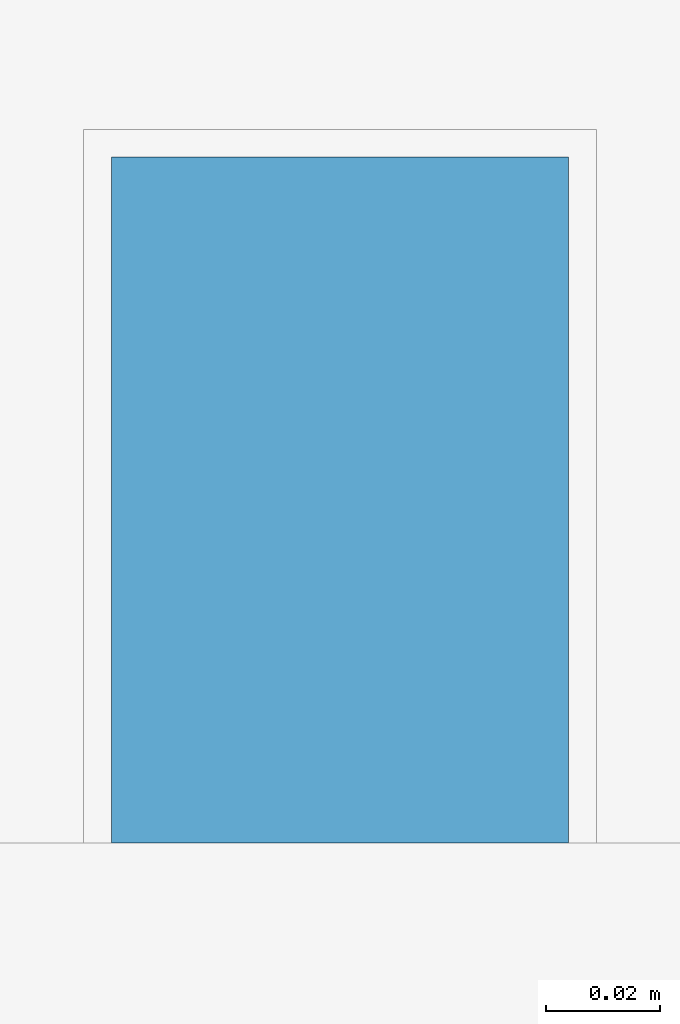
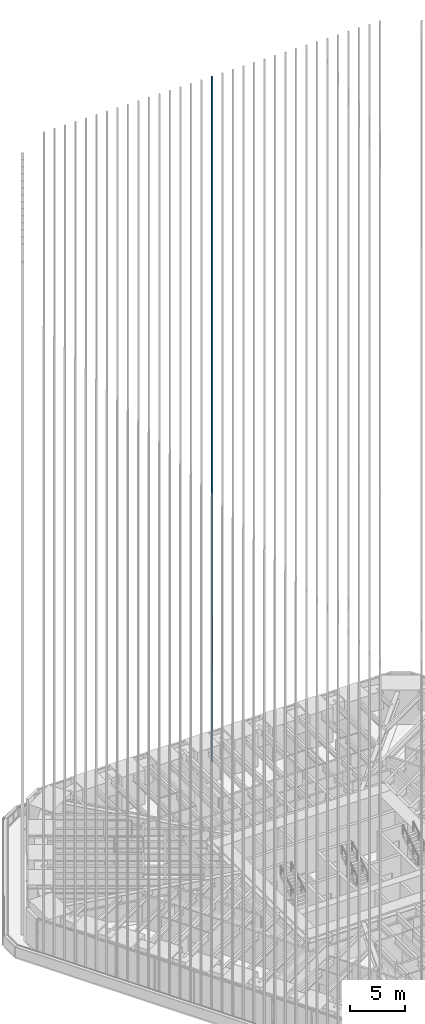
# One storey, part 174 of 238: 1 member, 1 element without a shape of its own.
"""IFC4 building model written with IfcOpenShell, lengths in metres."""

from ifc_helpers import new_model, si_unit, direction, frame, origin, origin_2d, place, context, subcontext, project, spatial, rectangle, extrude, material, material_profile, profile_set, type_object, element, aggregate, save


model = new_model("IFC4")

# Units and contexts
model_context = context("Model", 3, precision=1e-05, world=origin(), true_north=direction((0.0, 1.0)))
body_context = subcontext(model_context, "Body", "Model", "MODEL_VIEW")
ifc_project = project(units=[si_unit("LENGTHUNIT", "METRE"), si_unit("AREAUNIT", "SQUARE_METRE"), si_unit("VOLUMEUNIT", "CUBIC_METRE"), si_unit("PLANEANGLEUNIT", "RADIAN"), si_unit("MASSUNIT", "GRAM", prefix="KILO")], contexts=[model_context])

# Site, building, storey
site_placement = place(None, origin())
site = spatial("IfcSite", under=ifc_project, at=site_placement, CompositionType="ELEMENT")
building_placement = place(site_placement, origin())
building = spatial("IfcBuilding", under=site, at=building_placement, Name="Sandreach Pilgrim Tower", CompositionType="ELEMENT")
storey_placement = place(building_placement, frame((0.0, 0.0, 96.800048828125)))
storey = spatial("IfcBuildingStorey", under=building, at=storey_placement, Name="L23", CompositionType="ELEMENT", Elevation=96.800048828125)

# Curtain wall, member
ifc_material_1 = material(Name="Aluminium framed curtain wall", Category="aluminium")
curtain_wall_type = type_object("IfcCurtainWallType", Name="Hotel tower curtain wall", PredefinedType="NOTDEFINED", material=ifc_material_1)
curtain_wall_placement = place(storey_placement, origin())
curtain_wall = element("IfcCurtainWall", 1, at=curtain_wall_placement, inside=storey, type_object=curtain_wall_type, Name="CW-2 L23 N", PredefinedType="NOTDEFINED")
ifc_material_2 = material(Name="Extruded terracotta on aluminium core", Category="masonry")
ifc_material_profile = material_profile(ifc_material_2, rectangle(XDim=0.080078125, YDim=0.1201171875, at=origin_2d()), Name="TBN 80X120")
ifc_profile_set = profile_set([ifc_material_profile], Name="Extruded terracotta on aluminium core")
member_type = type_object("IfcMemberType", Name="Terracotta baguette north", PredefinedType="USERDEFINED", material=ifc_profile_set)
member_placement = place(storey_placement, frame((0.0, 22.853759765625, 0.0), z_axis=(0.0, 0.0, 1.0), x_axis=(1.0, 0.0, 0.0)))
member = element("IfcMember", 2, at=member_placement, type_object=member_type, Name="Baguette Z2 N17", ObjectType="BAGUETTE", PredefinedType="USERDEFINED", context=body_context, shape_type="SweptSolid", body=[
    extrude(rectangle(XDim=0.080078125, YDim=0.1201171875, at=origin_2d()), origin(), (0.0, 0.0, 1.0), 75.83984375),
])
aggregate(curtain_wall, [member])

save(model, "model.ifc")
